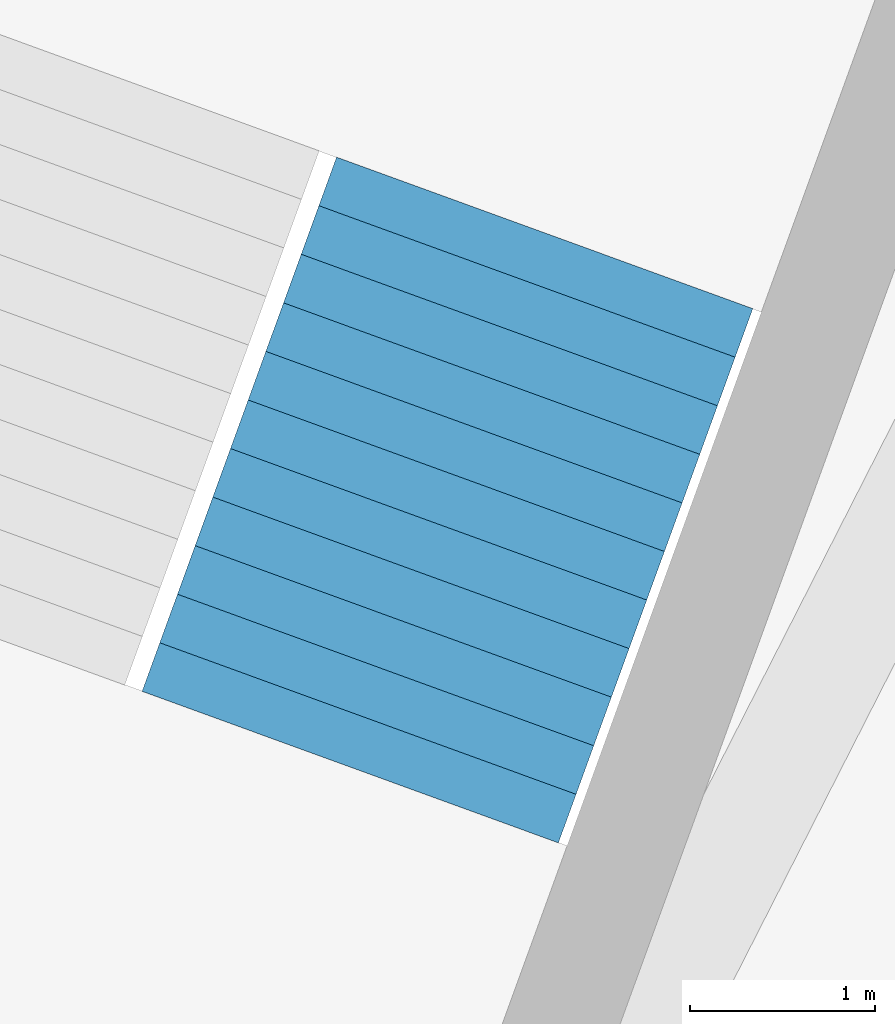
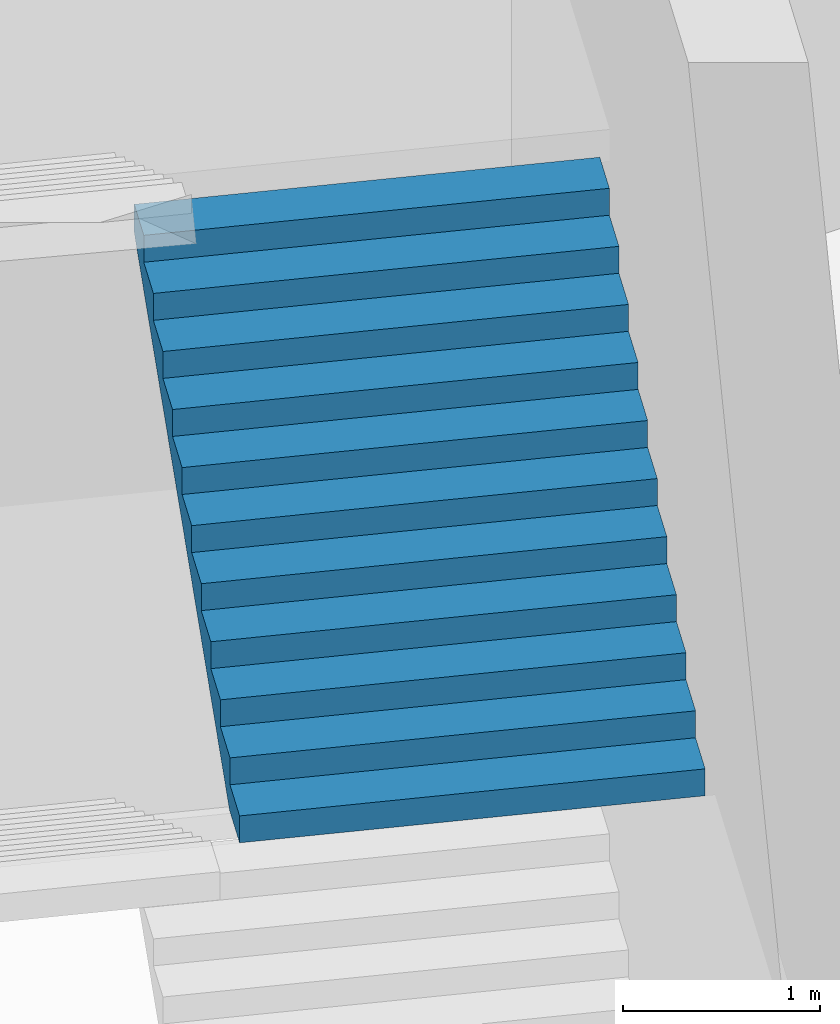
# One storey, part 47 of 74: 1 stair flight, 1 element without a shape of its own.
"""IFC4 building model written with IfcOpenShell, lengths in metres."""

from ifc_helpers import new_model, si_unit, direction, frame, origin, place, context, subcontext, project, spatial, triangles, material, type_object, element, aggregate, save


model = new_model("IFC4")

# Units and contexts
model_context = context("Model", 3, precision=1e-05, world=origin(), true_north=direction((0.0, 1.0)))
body_context = subcontext(model_context, "Body", "Model", "MODEL_VIEW")
ifc_project = project(units=[si_unit("LENGTHUNIT", "METRE"), si_unit("AREAUNIT", "SQUARE_METRE"), si_unit("VOLUMEUNIT", "CUBIC_METRE"), si_unit("PLANEANGLEUNIT", "RADIAN"), si_unit("MASSUNIT", "GRAM", prefix="KILO")], contexts=[model_context])

# Site, building, storey
site_placement = place(None, origin())
site = spatial("IfcSite", under=ifc_project, at=site_placement, CompositionType="ELEMENT")
building_placement = place(site_placement, origin())
building = spatial("IfcBuilding", under=site, at=building_placement, Name="Lantaw Convention Tower", CompositionType="ELEMENT")
storey_placement = place(building_placement, frame((0.0, 0.0, 6.5)))
storey = spatial("IfcBuildingStorey", under=building, at=storey_placement, Name="L01", CompositionType="ELEMENT", Elevation=6.5)

# Stair, stair flight
ifc_material = material(Name="Concrete C35/45", Category="concrete")
stair_type = type_object("IfcStairType", Name="Exit stair 2400 riser 166.67 in 4 flights", PredefinedType="HALF_TURN_STAIR", material=ifc_material)
stair_placement = place(storey_placement, origin())
stair = element("IfcStair", 1, at=stair_placement, inside=storey, type_object=stair_type, Name="Podium exit stair P5 L01", PredefinedType="HALF_TURN_STAIR")
stair_flight_type = type_object("IfcStairFlightType", Name="Stair flight 2400 riser 166.67", PredefinedType="STRAIGHT", material=ifc_material)
stair_flight_placement = place(storey_placement, frame((10.476318359375, 25.128662109375, 4.0), z_axis=(0.0, 0.0, 1.0), x_axis=(0.342020143326, 0.939692620786, 0.0)))
stair_flight = element("IfcStairFlight", 2, at=stair_flight_placement, type_object=stair_flight_type, Name="P5 flight 3", NumberOfRisers=12, NumberOfTreads=11, PredefinedType="STRAIGHT", RiserHeight=0.166666667, TreadLength=0.28, context=body_context, shape_type="Tessellation", body=[
    triangles([(0.0, 1.199951171875, 0.0), (0.0, 1.199951171875, 0.166666667), (0.28, 1.199951171875, 0.0), (0.28, 1.199951171875, 0.166666667), (0.28, 1.199951171875, 0.333333334), (0.29307345806906726, 1.199951171875, 0.0), (0.29307345806906726, 1.199951171875, 0.333333334), (0.56, 1.199951171875, 0.15888484670522965), (0.56, 1.199951171875, 0.333333334), (0.56, 1.199951171875, 0.500000001), (0.8400000000000001, 1.199951171875, 0.3255515137052296), (0.8400000000000001, 1.199951171875, 0.500000001), (0.8400000000000001, 1.199951171875, 0.666666668), (1.12, 1.199951171875, 0.4922181807052296), (1.12, 1.199951171875, 0.666666668), (1.12, 1.199951171875, 0.833333335), (1.4000000000000001, 1.199951171875, 0.6588848477052296), (1.4000000000000001, 1.199951171875, 0.833333335), (1.4000000000000001, 1.199951171875, 1.000000002), (1.6800000000000002, 1.199951171875, 0.8255515147052296), (1.6800000000000002, 1.199951171875, 1.000000002), (1.6800000000000002, 1.199951171875, 1.166666669), (1.9600000000000002, 1.199951171875, 0.9922181817052296), (1.9600000000000002, 1.199951171875, 1.166666669), (1.9600000000000002, 1.199951171875, 1.333333336), (2.24, 1.199951171875, 1.1588848487052295), (2.24, 1.199951171875, 1.333333336), (2.24, 1.199951171875, 1.5000000029999998), (2.5200000000000005, 1.199951171875, 1.3255515157052296), (2.5200000000000005, 1.199951171875, 1.5000000029999998), (2.5200000000000005, 1.199951171875, 1.66666667), (2.8000000000000003, 1.199951171875, 1.4922181827052294), (2.8000000000000003, 1.199951171875, 1.66666667), (2.8000000000000003, 1.199951171875, 1.833333337), (3.08, 1.199951171875, 1.6588848497052293), (3.08, 1.199951171875, 1.833333337), (0.0, -1.199951171875, 0.0), (0.0, -1.199951171875, 0.166666667), (0.28, -1.199951171875, 0.0), (0.28, -1.199951171875, 0.166666667), (0.28, -1.199951171875, 0.333333334), (0.29307345806906726, -1.199951171875, 0.0), (0.29307345806906726, -1.199951171875, 0.333333334), (0.56, -1.199951171875, 0.15888484670522965), (0.56, -1.199951171875, 0.333333334), (0.56, -1.199951171875, 0.500000001), (0.8400000000000001, -1.199951171875, 0.3255515137052296), (0.8400000000000001, -1.199951171875, 0.500000001), (0.8400000000000001, -1.199951171875, 0.666666668), (1.12, -1.199951171875, 0.4922181807052296), (1.12, -1.199951171875, 0.666666668), (1.12, -1.199951171875, 0.833333335), (1.4000000000000001, -1.199951171875, 0.6588848477052296), (1.4000000000000001, -1.199951171875, 0.833333335), (1.4000000000000001, -1.199951171875, 1.000000002), (1.6800000000000002, -1.199951171875, 0.8255515147052296), (1.6800000000000002, -1.199951171875, 1.000000002), (1.6800000000000002, -1.199951171875, 1.166666669), (1.9600000000000002, -1.199951171875, 0.9922181817052296), (1.9600000000000002, -1.199951171875, 1.166666669), (1.9600000000000002, -1.199951171875, 1.333333336), (2.24, -1.199951171875, 1.1588848487052295), (2.24, -1.199951171875, 1.333333336), (2.24, -1.199951171875, 1.5000000029999998), (2.5200000000000005, -1.199951171875, 1.3255515157052296), (2.5200000000000005, -1.199951171875, 1.5000000029999998), (2.5200000000000005, -1.199951171875, 1.66666667), (2.8000000000000003, -1.199951171875, 1.4922181827052294), (2.8000000000000003, -1.199951171875, 1.66666667), (2.8000000000000003, -1.199951171875, 1.833333337), (3.08, -1.199951171875, 1.6588848497052293), (3.08, -1.199951171875, 1.833333337), (0.0, 0.239990234375, 0.166666667), (0.0, 0.239990234375, 0.0), (0.0, 0.1199951171875, 0.166666667), (0.0, 0.1199951171875, 0.0), (0.0, 0.0, 0.166666667), (0.0, 0.0, 0.0), (0.0, -0.1199951171875, 0.166666667), (0.0, -0.1199951171875, 0.0), (0.0, -0.239990234375, 0.166666667), (0.0, -0.239990234375, 0.0), (0.28, 0.239990234375, 0.333333334), (0.28, 0.239990234375, 0.166666667), (0.28, 0.1199951171875, 0.333333334), (0.28, 0.1199951171875, 0.166666667), (0.28, 0.0, 0.333333334), (0.28, 0.0, 0.166666667), (0.28, -0.1199951171875, 0.333333334), (0.28, -0.1199951171875, 0.166666667), (0.28, -0.239990234375, 0.333333334), (0.28, -0.239990234375, 0.166666667), (0.56, 0.239990234375, 0.500000001), (0.56, 0.239990234375, 0.333333334), (0.56, 0.1199951171875, 0.500000001), (0.56, 0.1199951171875, 0.333333334), (0.56, 0.0, 0.500000001), (0.56, 0.0, 0.333333334), (0.56, -0.1199951171875, 0.500000001), (0.56, -0.1199951171875, 0.333333334), (0.56, -0.239990234375, 0.500000001), (0.56, -0.239990234375, 0.333333334), (0.8400000000000001, 0.239990234375, 0.666666668), (0.8400000000000001, 0.239990234375, 0.500000001), (0.8400000000000001, 0.1199951171875, 0.666666668), (0.8400000000000001, 0.1199951171875, 0.500000001), (0.8400000000000001, 0.0, 0.666666668), (0.8400000000000001, 0.0, 0.500000001), (0.8400000000000001, -0.1199951171875, 0.666666668), (0.8400000000000001, -0.1199951171875, 0.500000001), (0.8400000000000001, -0.239990234375, 0.666666668), (0.8400000000000001, -0.239990234375, 0.500000001), (1.12, 0.239990234375, 0.833333335), (1.12, 0.239990234375, 0.666666668), (1.12, 0.1199951171875, 0.833333335), (1.12, 0.1199951171875, 0.666666668), (1.12, 0.0, 0.833333335), (1.12, 0.0, 0.666666668), (1.12, -0.1199951171875, 0.833333335), (1.12, -0.1199951171875, 0.666666668), (1.12, -0.239990234375, 0.833333335), (1.12, -0.239990234375, 0.666666668), (1.4000000000000001, 0.239990234375, 1.000000002), (1.4000000000000001, 0.239990234375, 0.833333335), (1.4000000000000001, 0.1199951171875, 1.000000002), (1.4000000000000001, 0.1199951171875, 0.833333335), (1.4000000000000001, 0.0, 1.000000002), (1.4000000000000001, 0.0, 0.833333335), (1.4000000000000001, -0.1199951171875, 1.000000002), (1.4000000000000001, -0.1199951171875, 0.833333335), (1.4000000000000001, -0.239990234375, 1.000000002), (1.4000000000000001, -0.239990234375, 0.833333335), (1.6800000000000002, 0.239990234375, 1.166666669), (1.6800000000000002, 0.239990234375, 1.000000002), (1.6800000000000002, 0.1199951171875, 1.166666669), (1.6800000000000002, 0.1199951171875, 1.000000002), (1.6800000000000002, 0.0, 1.166666669), (1.6800000000000002, 0.0, 1.000000002), (1.6800000000000002, -0.1199951171875, 1.166666669), (1.6800000000000002, -0.1199951171875, 1.000000002), (1.6800000000000002, -0.239990234375, 1.166666669), (1.6800000000000002, -0.239990234375, 1.000000002), (1.9600000000000002, 0.239990234375, 1.333333336), (1.9600000000000002, 0.239990234375, 1.166666669), (1.9600000000000002, 0.1199951171875, 1.333333336), (1.9600000000000002, 0.1199951171875, 1.166666669), (1.9600000000000002, 0.0, 1.333333336), (1.9600000000000002, 0.0, 1.166666669), (1.9600000000000002, -0.1199951171875, 1.333333336), (1.9600000000000002, -0.1199951171875, 1.166666669), (1.9600000000000002, -0.239990234375, 1.333333336), (1.9600000000000002, -0.239990234375, 1.166666669), (2.24, 0.239990234375, 1.5000000029999998), (2.24, 0.239990234375, 1.333333336), (2.24, 0.1199951171875, 1.5000000029999998), (2.24, 0.1199951171875, 1.333333336), (2.24, 0.0, 1.5000000029999998), (2.24, 0.0, 1.333333336), (2.24, -0.1199951171875, 1.5000000029999998), (2.24, -0.1199951171875, 1.333333336), (2.24, -0.239990234375, 1.5000000029999998), (2.24, -0.239990234375, 1.333333336), (2.5200000000000005, 0.239990234375, 1.66666667), (2.5200000000000005, 0.239990234375, 1.5000000029999998), (2.5200000000000005, 0.1199951171875, 1.66666667), (2.5200000000000005, 0.1199951171875, 1.5000000029999998), (2.5200000000000005, 0.0, 1.66666667), (2.5200000000000005, 0.0, 1.5000000029999998), (2.5200000000000005, -0.1199951171875, 1.66666667), (2.5200000000000005, -0.1199951171875, 1.5000000029999998), (2.5200000000000005, -0.239990234375, 1.66666667), (2.5200000000000005, -0.239990234375, 1.5000000029999998), (2.8000000000000003, 0.239990234375, 1.833333337), (2.8000000000000003, 0.239990234375, 1.66666667), (2.8000000000000003, 0.1199951171875, 1.833333337), (2.8000000000000003, 0.1199951171875, 1.66666667), (2.8000000000000003, 0.0, 1.833333337), (2.8000000000000003, 0.0, 1.66666667), (2.8000000000000003, -0.1199951171875, 1.833333337), (2.8000000000000003, -0.1199951171875, 1.66666667), (2.8000000000000003, -0.239990234375, 1.833333337), (2.8000000000000003, -0.239990234375, 1.66666667), (0.29307345806906726, 0.239990234375, 0.333333334), (0.29307345806906726, 0.1199951171875, 0.333333334), (0.29307345806906726, 0.0, 0.333333334), (0.29307345806906726, -0.1199951171875, 0.333333334), (0.29307345806906726, -0.239990234375, 0.333333334), (3.08, 0.239990234375, 1.833333337), (3.08, 0.1199951171875, 1.833333337), (3.08, 0.0, 1.833333337), (3.08, -0.1199951171875, 1.833333337), (3.08, -0.239990234375, 1.833333337), (3.08, 0.239990234375, 1.6588848497052293), (3.08, 0.1199951171875, 1.6588848497052293), (3.08, 0.0, 1.6588848497052293), (3.08, -0.1199951171875, 1.6588848497052293), (3.08, -0.239990234375, 1.6588848497052293), (2.8000000000000003, 0.239990234375, 1.4922181827052294), (2.8000000000000003, 0.1199951171875, 1.4922181827052294), (2.8000000000000003, 0.0, 1.4922181827052294), (2.8000000000000003, -0.1199951171875, 1.4922181827052294), (2.8000000000000003, -0.239990234375, 1.4922181827052294), (2.5200000000000005, 0.239990234375, 1.3255515157052296), (2.5200000000000005, 0.1199951171875, 1.3255515157052296), (2.5200000000000005, 0.0, 1.3255515157052296), (2.5200000000000005, -0.1199951171875, 1.3255515157052296), (2.5200000000000005, -0.239990234375, 1.3255515157052296), (2.24, 0.239990234375, 1.1588848487052295), (2.24, 0.1199951171875, 1.1588848487052295), (2.24, 0.0, 1.1588848487052295), (2.24, -0.1199951171875, 1.1588848487052295), (2.24, -0.239990234375, 1.1588848487052295), (1.9600000000000002, 0.239990234375, 0.9922181817052296), (1.9600000000000002, 0.1199951171875, 0.9922181817052296), (1.9600000000000002, 0.0, 0.9922181817052296), (1.9600000000000002, -0.1199951171875, 0.9922181817052296), (1.9600000000000002, -0.239990234375, 0.9922181817052296), (1.6800000000000002, 0.239990234375, 0.8255515147052296), (1.6800000000000002, 0.1199951171875, 0.8255515147052296), (1.6800000000000002, 0.0, 0.8255515147052296), (1.6800000000000002, -0.1199951171875, 0.8255515147052296), (1.6800000000000002, -0.239990234375, 0.8255515147052296), (1.4000000000000001, 0.239990234375, 0.6588848477052296), (1.4000000000000001, 0.1199951171875, 0.6588848477052296), (1.4000000000000001, 0.0, 0.6588848477052296), (1.4000000000000001, -0.1199951171875, 0.6588848477052296), (1.4000000000000001, -0.239990234375, 0.6588848477052296), (1.12, 0.239990234375, 0.4922181807052296), (1.12, 0.1199951171875, 0.4922181807052296), (1.12, 0.0, 0.4922181807052296), (1.12, -0.1199951171875, 0.4922181807052296), (1.12, -0.239990234375, 0.4922181807052296), (0.8400000000000001, 0.239990234375, 0.3255515137052296), (0.8400000000000001, 0.1199951171875, 0.3255515137052296), (0.8400000000000001, 0.0, 0.3255515137052296), (0.8400000000000001, -0.1199951171875, 0.3255515137052296), (0.8400000000000001, -0.239990234375, 0.3255515137052296), (0.56, 0.239990234375, 0.15888484670522965), (0.56, 0.1199951171875, 0.15888484670522965), (0.56, 0.0, 0.15888484670522965), (0.56, -0.1199951171875, 0.15888484670522965), (0.56, -0.239990234375, 0.15888484670522965), (0.29307345806906726, 0.239990234375, 0.0), (0.29307345806906726, 0.1199951171875, 0.0), (0.29307345806906726, 0.0, 0.0), (0.29307345806906726, -0.1199951171875, 0.0), (0.29307345806906726, -0.239990234375, 0.0), (0.28, 0.239990234375, 0.0), (0.28, 0.1199951171875, 0.0), (0.28, 0.0, 0.0), (0.28, -0.1199951171875, 0.0), (0.28, -0.239990234375, 0.0)], [[1, 4, 3], [1, 2, 4], [3, 4, 6], [4, 7, 6], [4, 5, 7], [6, 9, 8], [6, 7, 9], [8, 9, 11], [9, 12, 11], [9, 10, 12], [11, 12, 14], [12, 15, 14], [12, 13, 15], [14, 15, 17], [15, 18, 17], [15, 16, 18], [17, 18, 20], [18, 21, 20], [18, 19, 21], [20, 21, 23], [21, 24, 23], [21, 22, 24], [23, 24, 26], [24, 27, 26], [24, 25, 27], [26, 27, 29], [27, 30, 29], [27, 28, 30], [29, 30, 32], [30, 33, 32], [30, 31, 33], [32, 33, 35], [33, 36, 35], [33, 34, 36], [37, 39, 40], [37, 40, 38], [39, 42, 40], [40, 42, 43], [40, 43, 41], [42, 44, 45], [42, 45, 43], [44, 47, 45], [45, 47, 48], [45, 48, 46], [47, 50, 48], [48, 50, 51], [48, 51, 49], [50, 53, 51], [51, 53, 54], [51, 54, 52], [53, 56, 54], [54, 56, 57], [54, 57, 55], [56, 59, 57], [57, 59, 60], [57, 60, 58], [59, 62, 60], [60, 62, 63], [60, 63, 61], [62, 65, 63], [63, 65, 66], [63, 66, 64], [65, 68, 66], [66, 68, 69], [66, 69, 67], [68, 71, 69], [69, 71, 72], [69, 72, 70], [1, 73, 2], [1, 74, 73], [74, 75, 73], [74, 76, 75], [76, 77, 75], [76, 78, 77], [78, 79, 77], [78, 80, 79], [80, 81, 79], [80, 82, 81], [82, 38, 81], [82, 37, 38], [4, 83, 5], [4, 84, 83], [84, 85, 83], [84, 86, 85], [86, 87, 85], [86, 88, 87], [88, 89, 87], [88, 90, 89], [90, 91, 89], [90, 92, 91], [92, 41, 91], [92, 40, 41], [9, 93, 10], [9, 94, 93], [94, 95, 93], [94, 96, 95], [96, 97, 95], [96, 98, 97], [98, 99, 97], [98, 100, 99], [100, 101, 99], [100, 102, 101], [102, 46, 101], [102, 45, 46], [12, 103, 13], [12, 104, 103], [104, 105, 103], [104, 106, 105], [106, 107, 105], [106, 108, 107], [108, 109, 107], [108, 110, 109], [110, 111, 109], [110, 112, 111], [112, 49, 111], [112, 48, 49], [15, 113, 16], [15, 114, 113], [114, 115, 113], [114, 116, 115], [116, 117, 115], [116, 118, 117], [118, 119, 117], [118, 120, 119], [120, 121, 119], [120, 122, 121], [122, 52, 121], [122, 51, 52], [18, 123, 19], [18, 124, 123], [124, 125, 123], [124, 126, 125], [126, 127, 125], [126, 128, 127], [128, 129, 127], [128, 130, 129], [130, 131, 129], [130, 132, 131], [132, 55, 131], [132, 54, 55], [21, 133, 22], [21, 134, 133], [134, 135, 133], [134, 136, 135], [136, 137, 135], [136, 138, 137], [138, 139, 137], [138, 140, 139], [140, 141, 139], [140, 142, 141], [142, 58, 141], [142, 57, 58], [24, 143, 25], [24, 144, 143], [144, 145, 143], [144, 146, 145], [146, 147, 145], [146, 148, 147], [148, 149, 147], [148, 150, 149], [150, 151, 149], [150, 152, 151], [152, 61, 151], [152, 60, 61], [27, 153, 28], [27, 154, 153], [154, 155, 153], [154, 156, 155], [156, 157, 155], [156, 158, 157], [158, 159, 157], [158, 160, 159], [160, 161, 159], [160, 162, 161], [162, 64, 161], [162, 63, 64], [30, 163, 31], [30, 164, 163], [164, 165, 163], [164, 166, 165], [166, 167, 165], [166, 168, 167], [168, 169, 167], [168, 170, 169], [170, 171, 169], [170, 172, 171], [172, 67, 171], [172, 66, 67], [33, 173, 34], [33, 174, 173], [174, 175, 173], [174, 176, 175], [176, 177, 175], [176, 178, 177], [178, 179, 177], [178, 180, 179], [180, 181, 179], [180, 182, 181], [182, 70, 181], [182, 69, 70], [2, 84, 4], [2, 73, 84], [73, 86, 84], [73, 75, 86], [75, 88, 86], [75, 77, 88], [77, 90, 88], [77, 79, 90], [79, 92, 90], [79, 81, 92], [81, 40, 92], [81, 38, 40], [5, 183, 7], [5, 83, 183], [83, 184, 183], [83, 85, 184], [85, 185, 184], [85, 87, 185], [87, 186, 185], [87, 89, 186], [89, 187, 186], [89, 91, 187], [91, 43, 187], [91, 41, 43], [7, 94, 9], [7, 183, 94], [183, 96, 94], [183, 184, 96], [184, 98, 96], [184, 185, 98], [185, 100, 98], [185, 186, 100], [186, 102, 100], [186, 187, 102], [187, 45, 102], [187, 43, 45], [10, 104, 12], [10, 93, 104], [93, 106, 104], [93, 95, 106], [95, 108, 106], [95, 97, 108], [97, 110, 108], [97, 99, 110], [99, 112, 110], [99, 101, 112], [101, 48, 112], [101, 46, 48], [13, 114, 15], [13, 103, 114], [103, 116, 114], [103, 105, 116], [105, 118, 116], [105, 107, 118], [107, 120, 118], [107, 109, 120], [109, 122, 120], [109, 111, 122], [111, 51, 122], [111, 49, 51], [16, 124, 18], [16, 113, 124], [113, 126, 124], [113, 115, 126], [115, 128, 126], [115, 117, 128], [117, 130, 128], [117, 119, 130], [119, 132, 130], [119, 121, 132], [121, 54, 132], [121, 52, 54], [19, 134, 21], [19, 123, 134], [123, 136, 134], [123, 125, 136], [125, 138, 136], [125, 127, 138], [127, 140, 138], [127, 129, 140], [129, 142, 140], [129, 131, 142], [131, 57, 142], [131, 55, 57], [22, 144, 24], [22, 133, 144], [133, 146, 144], [133, 135, 146], [135, 148, 146], [135, 137, 148], [137, 150, 148], [137, 139, 150], [139, 152, 150], [139, 141, 152], [141, 60, 152], [141, 58, 60], [25, 154, 27], [25, 143, 154], [143, 156, 154], [143, 145, 156], [145, 158, 156], [145, 147, 158], [147, 160, 158], [147, 149, 160], [149, 162, 160], [149, 151, 162], [151, 63, 162], [151, 61, 63], [28, 164, 30], [28, 153, 164], [153, 166, 164], [153, 155, 166], [155, 168, 166], [155, 157, 168], [157, 170, 168], [157, 159, 170], [159, 172, 170], [159, 161, 172], [161, 66, 172], [161, 64, 66], [31, 174, 33], [31, 163, 174], [163, 176, 174], [163, 165, 176], [165, 178, 176], [165, 167, 178], [167, 180, 178], [167, 169, 180], [169, 182, 180], [169, 171, 182], [171, 69, 182], [171, 67, 69], [34, 188, 36], [34, 173, 188], [173, 189, 188], [173, 175, 189], [175, 190, 189], [175, 177, 190], [177, 191, 190], [177, 179, 191], [179, 192, 191], [179, 181, 192], [181, 72, 192], [181, 70, 72], [36, 193, 35], [36, 188, 193], [188, 194, 193], [188, 189, 194], [189, 195, 194], [189, 190, 195], [190, 196, 195], [190, 191, 196], [191, 197, 196], [191, 192, 197], [192, 71, 197], [192, 72, 71], [35, 198, 32], [35, 193, 198], [193, 199, 198], [193, 194, 199], [194, 200, 199], [194, 195, 200], [195, 201, 200], [195, 196, 201], [196, 202, 201], [196, 197, 202], [197, 68, 202], [197, 71, 68], [32, 203, 29], [32, 198, 203], [198, 204, 203], [198, 199, 204], [199, 205, 204], [199, 200, 205], [200, 206, 205], [200, 201, 206], [201, 207, 206], [201, 202, 207], [202, 65, 207], [202, 68, 65], [29, 208, 26], [29, 203, 208], [203, 209, 208], [203, 204, 209], [204, 210, 209], [204, 205, 210], [205, 211, 210], [205, 206, 211], [206, 212, 211], [206, 207, 212], [207, 62, 212], [207, 65, 62], [26, 213, 23], [26, 208, 213], [208, 214, 213], [208, 209, 214], [209, 215, 214], [209, 210, 215], [210, 216, 215], [210, 211, 216], [211, 217, 216], [211, 212, 217], [212, 59, 217], [212, 62, 59], [23, 218, 20], [23, 213, 218], [213, 219, 218], [213, 214, 219], [214, 220, 219], [214, 215, 220], [215, 221, 220], [215, 216, 221], [216, 222, 221], [216, 217, 222], [217, 56, 222], [217, 59, 56], [20, 223, 17], [20, 218, 223], [218, 224, 223], [218, 219, 224], [219, 225, 224], [219, 220, 225], [220, 226, 225], [220, 221, 226], [221, 227, 226], [221, 222, 227], [222, 53, 227], [222, 56, 53], [17, 228, 14], [17, 223, 228], [223, 229, 228], [223, 224, 229], [224, 230, 229], [224, 225, 230], [225, 231, 230], [225, 226, 231], [226, 232, 231], [226, 227, 232], [227, 50, 232], [227, 53, 50], [14, 233, 11], [14, 228, 233], [228, 234, 233], [228, 229, 234], [229, 235, 234], [229, 230, 235], [230, 236, 235], [230, 231, 236], [231, 237, 236], [231, 232, 237], [232, 47, 237], [232, 50, 47], [11, 238, 8], [11, 233, 238], [233, 239, 238], [233, 234, 239], [234, 240, 239], [234, 235, 240], [235, 241, 240], [235, 236, 241], [236, 242, 241], [236, 237, 242], [237, 44, 242], [237, 47, 44], [8, 243, 6], [8, 238, 243], [238, 244, 243], [238, 239, 244], [239, 245, 244], [239, 240, 245], [240, 246, 245], [240, 241, 246], [241, 247, 246], [241, 242, 247], [242, 42, 247], [242, 44, 42], [6, 248, 3], [6, 243, 248], [243, 249, 248], [243, 244, 249], [244, 250, 249], [244, 245, 250], [245, 251, 250], [245, 246, 251], [246, 252, 251], [246, 247, 252], [247, 39, 252], [247, 42, 39], [3, 74, 1], [3, 248, 74], [248, 76, 74], [248, 249, 76], [249, 78, 76], [249, 250, 78], [250, 80, 78], [250, 251, 80], [251, 82, 80], [251, 252, 82], [252, 37, 82], [252, 39, 37]], closed=True),
])
aggregate(stair, [stair_flight])

save(model, "model.ifc")
